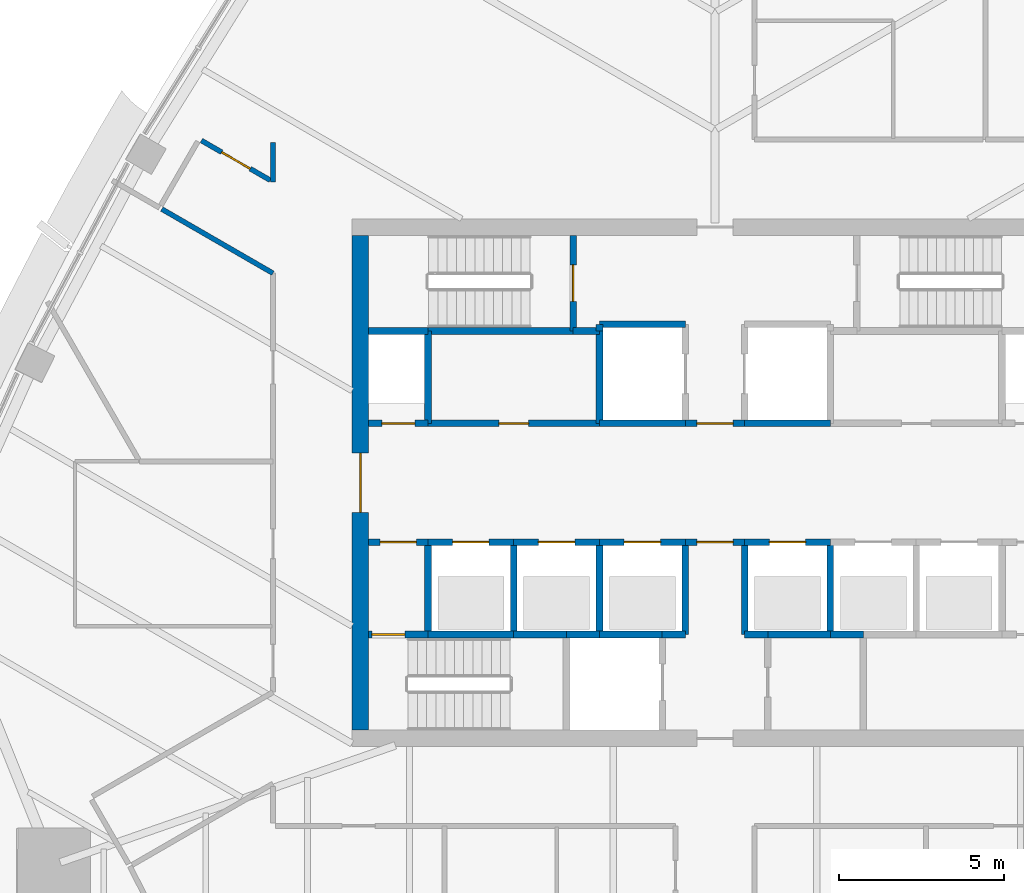
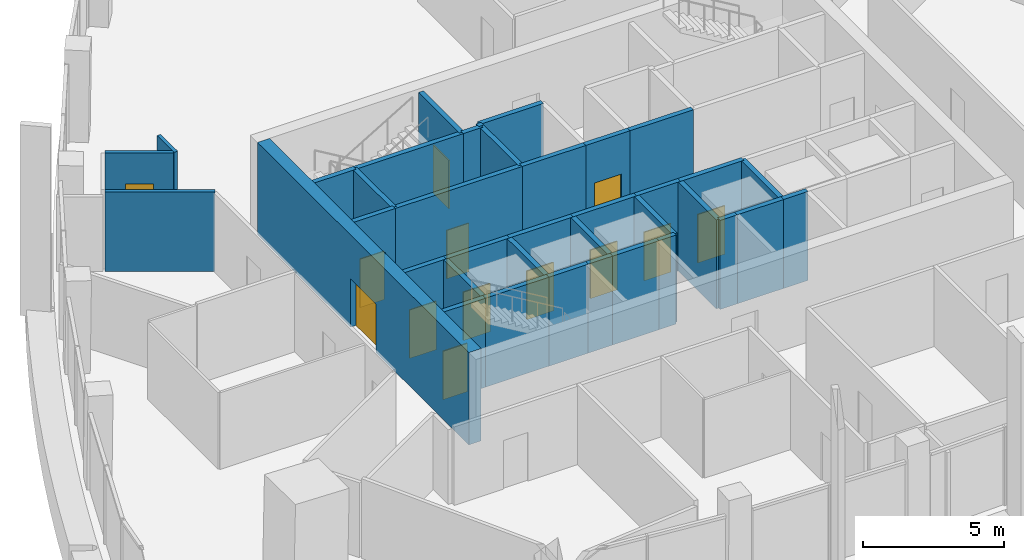
# One storey, part 9 of 19: 38 walls, 13 doors, 13 openings.
"""IFC4 building model written with IfcOpenShell, lengths in metres."""

import ifcopenshell
import ifcopenshell.guid

model = None  # the IFC model being written
_history = None  # IfcOwnerHistory: only IFC2X3 demands one
_inside = {}  # id of a spatial element -> (the spatial element, [elements in it])
_under = {}  # id of a project, library or spatial element -> (it, [spatial elements below it])
_declared = {}  # id of a project -> (the project, [libraries it declares])
_typed = {}  # id of a type object -> (the type object, [elements of that type])
_made_of = {}  # id of a material, layer set ... -> (it, [elements and type objects made of it])


def new_model(schema):
    """Start an empty IFC model of exactly this schema.

    Asked for "IFC4X3", IfcOpenShell would pick the latest addendum, in which some entities
    have other attributes; the version numbers below select the first issue.
    IFC2X3 requires an IfcOwnerHistory on every rooted entity: one is made here for all.
    """
    global model, _history
    if schema == "IFC4X3":
        model = ifcopenshell.file(schema_version=(4, 3, 0, 0))
    else:
        model = ifcopenshell.file(schema=schema)
    _inside.clear()
    _under.clear()
    _declared.clear()
    _typed.clear()
    _made_of.clear()
    _history = None
    if model.schema == "IFC2X3":
        org = make("IfcOrganization", Name="unknown")
        user = make(
            "IfcPersonAndOrganization",
            ThePerson=make("IfcPerson", FamilyName="unknown"),
            TheOrganization=org,
        )
        app = make(
            "IfcApplication",
            ApplicationDeveloper=org,
            Version="unknown",
            ApplicationFullName="unknown",
            ApplicationIdentifier="unknown",
        )
        _history = make(
            "IfcOwnerHistory",
            OwningUser=user,
            OwningApplication=app,
            ChangeAction="ADDED",
            CreationDate=0,
        )
    return model


def make(cls, **values):
    """One entity of the class cls with the attributes given. An attribute that is None is left unset."""
    return model.create_entity(
        cls, **{name: value for name, value in values.items() if value is not None}
    )


def rooted(cls, **values):
    """An entity with a GlobalId (a new one), such as an element, a storey or a relation."""
    return make(cls, GlobalId=ifcopenshell.guid.new(), OwnerHistory=_history, **values)


def si_unit(unit_type, name, prefix=None):
    """IfcSIUnit, for example si_unit("LENGTHUNIT", "METRE", prefix="MILLI")."""
    return make("IfcSIUnit", UnitType=unit_type, Prefix=prefix, Name=name)


def assignment(units):
    """IfcUnitAssignment: the units of a project."""
    return None if units is None else make("IfcUnitAssignment", Units=units)


def point(xyz):
    """IfcCartesianPoint."""
    return None if xyz is None else make("IfcCartesianPoint", Coordinates=xyz)


def direction(xyz):
    """IfcDirection."""
    return None if xyz is None else make("IfcDirection", DirectionRatios=xyz)


def frame(location, z_axis=None, x_axis=None):
    """IfcAxis2Placement3D, a coordinate frame: its origin and axes. An axis left out is left unset."""
    return make(
        "IfcAxis2Placement3D",
        Location=point(location),
        Axis=direction(z_axis),
        RefDirection=direction(x_axis),
    )


def frame_2d(location, x_axis=None):
    """IfcAxis2Placement2D, a coordinate frame in the plane: its origin and x axis."""
    return make(
        "IfcAxis2Placement2D", Location=point(location), RefDirection=direction(x_axis)
    )


def origin():
    """The frame at (0, 0, 0) with its axes left unset."""
    return frame((0.0, 0.0, 0.0))


def place(relative_to, where):
    """IfcLocalPlacement: puts the frame where relative to a parent placement (None: the world)."""
    return make(
        "IfcLocalPlacement", PlacementRelTo=relative_to, RelativePlacement=where
    )


def context(
    kind, dimensions, precision=None, world=None, true_north=None, identifier=None
):
    """IfcGeometricRepresentationContext, for example the 3D "Model" context."""
    return make(
        "IfcGeometricRepresentationContext",
        ContextIdentifier=identifier,
        ContextType=kind,
        CoordinateSpaceDimension=dimensions,
        Precision=precision,
        WorldCoordinateSystem=world,
        TrueNorth=true_north,
    )


def subcontext(parent, identifier, kind, view, scale=None):
    """IfcGeometricRepresentationSubContext, for example "Body" below "Model"."""
    return make(
        "IfcGeometricRepresentationSubContext",
        ContextIdentifier=identifier,
        ContextType=kind,
        ParentContext=parent,
        TargetScale=scale,
        TargetView=view,
    )


def project(units=None, contexts=None):
    """IfcProject with its units and contexts."""
    return rooted(
        "IfcProject",
        Name="project",
        RepresentationContexts=contexts,
        UnitsInContext=assignment(units),
    )


def spatial(cls, under=None, at=None, **own):
    """A site, building, storey or space (cls), placed at a placement, below another one or the project."""
    s = rooted(cls, ObjectPlacement=at, **own)
    if under is not None:
        _under.setdefault(under.id(), (under, []))[1].append(s)
    return s


def profile(cls, at=None, kind="AREA", **sizes):
    """A parametric profile (cls). Its sizes go by their IFC names, for example OverallWidth=200.0."""
    return make(cls, ProfileType=kind, Position=at, **sizes)


def rectangle(**sizes):
    """IfcRectangleProfileDef."""
    return profile("IfcRectangleProfileDef", **sizes)


def extrude(swept, where, along, depth):
    """IfcExtrudedAreaSolid: the profile swept, set in the frame where, extruded along a direction by depth."""
    return make(
        "IfcExtrudedAreaSolid",
        SweptArea=swept,
        Position=where,
        ExtrudedDirection=direction(along),
        Depth=depth,
    )


def shape(context_of_items, identifier, shape_type, items):
    """IfcShapeRepresentation: the items that make up one representation, for example the "Body"."""
    return make(
        "IfcShapeRepresentation",
        ContextOfItems=context_of_items,
        RepresentationIdentifier=identifier,
        RepresentationType=shape_type,
        Items=items,
    )


def material(Name=None, Category=None):
    """IfcMaterial."""
    return make("IfcMaterial", Name=Name, Category=Category)


def layer(
    of_material, thickness, ventilated=None, Name=None, Category=None, Priority=None
):
    """IfcMaterialLayer: one layer of a wall or slab, of a material (None: an air gap)."""
    return make(
        "IfcMaterialLayer",
        Material=of_material,
        LayerThickness=thickness,
        IsVentilated=ventilated,
        Name=Name,
        Category=Category,
        Priority=Priority,
    )


def layer_set(layers, Name=None):
    """IfcMaterialLayerSet."""
    return make("IfcMaterialLayerSet", MaterialLayers=layers, LayerSetName=Name)


def made_of(thing, what):
    """Note that an element or type object is made of a material, layer set ...; save() writes the relation."""
    if what is not None:
        _made_of.setdefault(what.id(), (what, []))[1].append(thing)
    return thing


def type_object(cls, material=None, **own):
    """A type object (cls), such as IfcWallType, which elements share."""
    return made_of(rooted(cls, **own), material)


def element(
    cls,
    number,
    at=None,
    inside=None,
    cuts=None,
    type_object=None,
    material=None,
    context=None,
    identifier="Body",
    shape_type=None,
    held_by="IfcProductDefinitionShape",
    body=None,
    shapes=None,
    **own,
):
    """One element of the class cls, such as IfcWall. Its Tag is "e" and its number.

    at: its placement. inside: the storey or other place that contains it. cuts: it is an
    opening in that element (IfcRelVoidsElement). A single representation is given by context,
    identifier, shape_type and body (its items); several are given by shapes. held_by: the class
    of the entity that holds the representations. save() writes the other relations.
    """
    e = rooted(cls, Tag="e%d" % number, ObjectPlacement=at, **own)
    if body is not None:
        shapes = [shape(context, identifier, shape_type, body)]
    if shapes is not None:
        e.Representation = make(held_by, Representations=shapes)
    if inside is not None:
        _inside.setdefault(inside.id(), (inside, []))[1].append(e)
    if cuts is not None:
        rooted(
            "IfcRelVoidsElement", RelatingBuildingElement=cuts, RelatedOpeningElement=e
        )
    if type_object is not None:
        _typed.setdefault(type_object.id(), (type_object, []))[1].append(e)
    return made_of(e, material)


def fill(opening, filler):
    """IfcRelFillsElement: the door or window that sits in an opening."""
    return rooted(
        "IfcRelFillsElement",
        RelatingOpeningElement=opening,
        RelatedBuildingElement=filler,
    )


def aggregate(whole, parts):
    """IfcRelAggregates: a whole, such as a stair, and the parts it consists of."""
    return rooted("IfcRelAggregates", RelatingObject=whole, RelatedObjects=parts)


def save(model, path):
    """Write the relations noted so far, then the file.

    IfcRelAggregates (storeys below a building ...), IfcRelContainedInSpatialStructure (elements
    in a storey), IfcRelDefinesByType, IfcRelAssociatesMaterial and IfcRelDeclares: one each for
    every whole, place, type object, material and project.
    """
    for whole, parts in _under.values():
        aggregate(whole, parts)
    for where, things in _inside.values():
        rooted(
            "IfcRelContainedInSpatialStructure",
            RelatedElements=things,
            RelatingStructure=where,
        )
    for kind, things in _typed.values():
        rooted("IfcRelDefinesByType", RelatedObjects=things, RelatingType=kind)
    for what, things in _made_of.values():
        rooted("IfcRelAssociatesMaterial", RelatedObjects=things, RelatingMaterial=what)
    for by, libraries in _declared.values():
        rooted("IfcRelDeclares", RelatingContext=by, RelatedDefinitions=libraries)
    model.write(path)


model = new_model("IFC4")

# Units and contexts
model_context = context("Model", 3, precision=1e-05, world=origin(), true_north=direction((0.0, 1.0)))
body_context = subcontext(model_context, "Body", "Model", "MODEL_VIEW")
ifc_project = project(units=[si_unit("LENGTHUNIT", "METRE"), si_unit("AREAUNIT", "SQUARE_METRE"), si_unit("VOLUMEUNIT", "CUBIC_METRE"), si_unit("PLANEANGLEUNIT", "RADIAN"), si_unit("MASSUNIT", "GRAM", prefix="KILO")], contexts=[model_context])

# Site, building, storey
site_placement = place(None, origin())
site = spatial("IfcSite", under=ifc_project, at=site_placement, CompositionType="ELEMENT")
building_placement = place(site_placement, origin())
building = spatial("IfcBuilding", under=site, at=building_placement, Name="Sierra Prisma Convention Tower", CompositionType="ELEMENT")
storey_placement = place(building_placement, frame((0.0, 0.0, 311.0)))
storey = spatial("IfcBuildingStorey", under=building, at=storey_placement, Name="L71", CompositionType="ELEMENT", Elevation=311.0)

# Wall, opening, door
ifc_material_1 = material(Name="Concrete C30/37", Category="concrete")
ifc_layer_1 = layer(ifc_material_1, 0.199951171875)
ifc_layer_set_1 = layer_set([ifc_layer_1], Name="Core wall RC 200 C30/37")
wall_type_1 = type_object("IfcWallType", Name="Core wall RC 200 C30/37", PredefinedType="SOLIDWALL", material=ifc_layer_set_1)
wall_1_placement = place(storey_placement, frame((-10.5, -4.60009765625, 0.0), z_axis=(0.0, 0.0, 1.0), x_axis=(1.0, 0.0, 0.0)))
wall_1 = element("IfcWall", 1, at=wall_1_placement, inside=storey, type_object=wall_type_1, Name="Core wall L71 1", PredefinedType="SOLIDWALL", context=body_context, shape_type="SweptSolid", body=[
    extrude(rectangle(XDim=1.800048828125, YDim=0.199951171875, at=frame_2d((0.89990234375, 0.0))), origin(), (0.0, 0.0, 1.0), 3.85009765625),
])
opening_1_placement = place(wall_1_placement, frame((0.10009765625, 0.0, 0.0)))
opening_1 = element("IfcOpeningElement", 2, at=opening_1_placement, cuts=wall_1, Name="Opening L71-D015", PredefinedType="OPENING", context=body_context, shape_type="SweptSolid", body=[
    extrude(rectangle(XDim=1.0, YDim=2.10009765625, at=frame_2d((0.5, 1.050048828125))), frame((0.0, 0.10009765625, 0.0), z_axis=(0.0, -1.0, 0.0), x_axis=(1.0, 0.0, 0.0)), (0.0, 0.0, 1.0), 0.199951171875),
])
ifc_material_2 = material(Name="Steel fire door leaf", Category="steel")
door_type_1 = type_object("IfcDoorType", Name="Door 1000x2100 FD90S", OperationType="SINGLE_SWING_LEFT", PredefinedType="DOOR", material=ifc_material_2)
door_1_placement = place(opening_1_placement, origin())
door_1 = element("IfcDoor", 3, at=door_1_placement, inside=storey, type_object=door_type_1, Name="Door L71 31", OperationType="SINGLE_SWING_LEFT", OverallHeight=2.10009765625, OverallWidth=1.0, PredefinedType="DOOR", context=body_context, shape_type="SweptSolid", body=[
    extrude(rectangle(XDim=1.0, YDim=2.10009765625, at=frame_2d((0.5, 1.050048828125))), frame((0.0, 0.02490234375, 0.0), z_axis=(0.0, -1.0, 0.0), x_axis=(1.0, 0.0, 0.0)), (0.0, 0.0, 1.0), 0.050048828125),
])
fill(opening_1, door_1)

wall_2_placement = place(storey_placement, frame((-10.5, -1.800048828125, 0.0), z_axis=(0.0, 0.0, 1.0), x_axis=(1.0, 0.0, 0.0)))
wall_2 = element("IfcWall", 4, at=wall_2_placement, inside=storey, type_object=wall_type_1, Name="Core wall L71 2", PredefinedType="SOLIDWALL", context=body_context, shape_type="SweptSolid", body=[
    extrude(rectangle(XDim=1.800048828125, YDim=0.199951171875, at=frame_2d((0.89990234375, 0.0))), origin(), (0.0, 0.0, 1.0), 3.85009765625),
])
opening_2_placement = place(wall_2_placement, frame((0.35009765625, 0.0, 0.0)))
opening_2 = element("IfcOpeningElement", 5, at=opening_2_placement, cuts=wall_2, Name="Opening L71-D010", PredefinedType="OPENING", context=body_context, shape_type="SweptSolid", body=[
    extrude(rectangle(XDim=1.10009765625, YDim=2.10009765625, at=frame_2d((0.550048828125, 1.050048828125))), frame((0.0, 0.10009765625, 0.0), z_axis=(0.0, -1.0, 0.0), x_axis=(1.0, 0.0, 0.0)), (0.0, 0.0, 1.0), 0.199951171875),
])
ifc_material_3 = material(Name="Steel fire door leaf", Category="steel")
door_type_2 = type_object("IfcDoorType", Name="Door 1100x2100 FD90S", OperationType="SINGLE_SWING_LEFT", PredefinedType="DOOR", material=ifc_material_3)
door_2_placement = place(opening_2_placement, origin())
door_2 = element("IfcDoor", 6, at=door_2_placement, inside=storey, type_object=door_type_2, Name="Door L71 26", OperationType="SINGLE_SWING_RIGHT", OverallHeight=2.10009765625, OverallWidth=1.10009765625, PredefinedType="DOOR", context=body_context, shape_type="SweptSolid", body=[
    extrude(rectangle(XDim=1.10009765625, YDim=2.10009765625, at=frame_2d((0.550048828125, 1.050048828125))), frame((0.0, 0.02490234375, 0.0), z_axis=(0.0, -1.0, 0.0), x_axis=(1.0, 0.0, 0.0)), (0.0, 0.0, 1.0), 0.050048828125),
])
fill(opening_2, door_2)

wall_3_placement = place(storey_placement, frame((-8.699951171875, 1.800048828125, 0.0), z_axis=(0.0, 0.0, 1.0), x_axis=(-1.0, 0.0, 0.0)))
wall_3 = element("IfcWall", 7, at=wall_3_placement, inside=storey, type_object=wall_type_1, Name="Core wall L71 3", PredefinedType="SOLIDWALL", context=body_context, shape_type="SweptSolid", body=[
    extrude(rectangle(XDim=1.800048828125, YDim=0.199951171875, at=frame_2d((0.89990234375, 0.0))), origin(), (0.0, 0.0, 1.0), 3.85009765625),
])
opening_3_placement = place(wall_3_placement, frame((0.39990234375, 0.0, 0.0)))
opening_3 = element("IfcOpeningElement", 8, at=opening_3_placement, cuts=wall_3, Name="Opening L71-D013", PredefinedType="OPENING", context=body_context, shape_type="SweptSolid", body=[
    extrude(rectangle(XDim=1.0, YDim=2.10009765625, at=frame_2d((0.5, 1.050048828125))), frame((0.0, 0.10009765625, 0.0), z_axis=(0.0, -1.0, 0.0), x_axis=(1.0, 0.0, 0.0)), (0.0, 0.0, 1.0), 0.199951171875),
])
ifc_material_4 = material(Name="Steel fire door leaf", Category="steel")
door_type_3 = type_object("IfcDoorType", Name="Door 1000x2100 FD60S", OperationType="SINGLE_SWING_LEFT", PredefinedType="DOOR", material=ifc_material_4)
door_3_placement = place(opening_3_placement, origin())
door_3 = element("IfcDoor", 9, at=door_3_placement, inside=storey, type_object=door_type_3, Name="Door L71 29", OperationType="SINGLE_SWING_LEFT", OverallHeight=2.10009765625, OverallWidth=1.0, PredefinedType="DOOR", context=body_context, shape_type="SweptSolid", body=[
    extrude(rectangle(XDim=1.0, YDim=2.10009765625, at=frame_2d((0.5, 1.050048828125))), frame((0.0, 0.02490234375, 0.0), z_axis=(0.0, -1.0, 0.0), x_axis=(1.0, 0.0, 0.0)), (0.0, 0.0, 1.0), 0.050048828125),
])
fill(opening_3, door_3)

# Walls
wall_4_placement = place(storey_placement, frame((-8.699951171875, 4.60009765625, 0.0), z_axis=(0.0, 0.0, 1.0), x_axis=(-1.0, 0.0, 0.0)))
element("IfcWall", 10, at=wall_4_placement, inside=storey, type_object=wall_type_1, Name="Core wall L71 4", PredefinedType="SOLIDWALL", context=body_context, shape_type="SweptSolid", body=[
    extrude(rectangle(XDim=1.800048828125, YDim=0.199951171875, at=frame_2d((0.89990234375, 0.0))), origin(), (0.0, 0.0, 1.0), 3.85009765625),
])
wall_5_placement = place(storey_placement, frame((-8.699951171875, -4.60009765625, 0.0), z_axis=(0.0, 0.0, 1.0), x_axis=(1.0, 0.0, 0.0)))
element("IfcWall", 11, at=wall_5_placement, inside=storey, type_object=wall_type_1, Name="Core wall L71 5", PredefinedType="SOLIDWALL", context=body_context, shape_type="SweptSolid", body=[
    extrude(rectangle(XDim=2.599853515625, YDim=0.199951171875, at=frame_2d((1.2998046875, 0.0))), origin(), (0.0, 0.0, 1.0), 3.85009765625),
])
wall_6_placement = place(storey_placement, frame((-8.699951171875, -4.60009765625, 0.0), z_axis=(0.0, 0.0, 1.0), x_axis=(0.0, 1.0, 0.0)))
element("IfcWall", 12, at=wall_6_placement, inside=storey, type_object=wall_type_1, Name="Core wall L71 6", PredefinedType="SOLIDWALL", context=body_context, shape_type="SweptSolid", body=[
    extrude(rectangle(XDim=2.800048828125, YDim=0.199951171875, at=frame_2d((1.39990234375, 0.0))), origin(), (0.0, 0.0, 1.0), 3.85009765625),
])

# Wall, opening, door
wall_7_placement = place(storey_placement, frame((-8.699951171875, -1.800048828125, 0.0), z_axis=(0.0, 0.0, 1.0), x_axis=(1.0, 0.0, 0.0)))
wall_7 = element("IfcWall", 13, at=wall_7_placement, inside=storey, type_object=wall_type_1, Name="Core wall L71 7", PredefinedType="SOLIDWALL", context=body_context, shape_type="SweptSolid", body=[
    extrude(rectangle(XDim=2.599853515625, YDim=0.199951171875, at=frame_2d((1.2998046875, 0.0))), origin(), (0.0, 0.0, 1.0), 3.85009765625),
])
opening_4_placement = place(wall_7_placement, frame((0.75, 0.0, 0.0)))
opening_4 = element("IfcOpeningElement", 14, at=opening_4_placement, cuts=wall_7, Name="Opening L71-D001", PredefinedType="OPENING", context=body_context, shape_type="SweptSolid", body=[
    extrude(rectangle(XDim=1.10009765625, YDim=2.10009765625, at=frame_2d((0.550048828125, 1.050048828125))), frame((0.0, 0.10009765625, 0.0), z_axis=(0.0, -1.0, 0.0), x_axis=(1.0, 0.0, 0.0)), (0.0, 0.0, 1.0), 0.199951171875),
])
ifc_material_5 = material(Name="Steel fire door leaf", Category="steel")
door_type_4 = type_object("IfcDoorType", Name="Door 1100x2100 EI 90 sliding lift landing", OperationType="SLIDING_TO_LEFT", PredefinedType="DOOR", material=ifc_material_5)
door_4_placement = place(opening_4_placement, origin())
door_4 = element("IfcDoor", 15, at=door_4_placement, inside=storey, type_object=door_type_4, Name="Door L71 17", OperationType="SLIDING_TO_RIGHT", OverallHeight=2.10009765625, OverallWidth=1.10009765625, PredefinedType="DOOR", context=body_context, shape_type="SweptSolid", body=[
    extrude(rectangle(XDim=1.10009765625, YDim=2.10009765625, at=frame_2d((0.550048828125, 1.050048828125))), frame((0.0, 0.02490234375, 0.0), z_axis=(0.0, -1.0, 0.0), x_axis=(1.0, 0.0, 0.0)), (0.0, 0.0, 1.0), 0.050048828125),
])
fill(opening_4, door_4)

wall_8_placement = place(storey_placement, frame((-8.699951171875, 1.800048828125, 0.0), z_axis=(0.0, 0.0, 1.0), x_axis=(1.0, 0.0, 0.0)))
wall_8 = element("IfcWall", 16, at=wall_8_placement, inside=storey, type_object=wall_type_1, Name="Core wall L71 8", PredefinedType="SOLIDWALL", context=body_context, shape_type="SweptSolid", body=[
    extrude(rectangle(XDim=5.199951171875, YDim=0.199951171875, at=frame_2d((2.60009765625, 0.0))), origin(), (0.0, 0.0, 1.0), 3.85009765625),
])
opening_5_placement = place(wall_8_placement, frame((2.14990234375, 0.0, 0.0)))
opening_5 = element("IfcOpeningElement", 17, at=opening_5_placement, cuts=wall_8, Name="Opening L71-D019", PredefinedType="OPENING", context=body_context, shape_type="SweptSolid", body=[
    extrude(rectangle(XDim=0.89990234375, YDim=2.10009765625, at=frame_2d((0.449951171875, 1.050048828125))), frame((0.0, 0.10009765625, 0.0), z_axis=(0.0, -1.0, 0.0), x_axis=(1.0, 0.0, 0.0)), (0.0, 0.0, 1.0), 0.199951171875),
])
ifc_material_6 = material(Name="Steel fire door leaf", Category="steel")
door_type_5 = type_object("IfcDoorType", Name="Door 900x2100 FD30S", OperationType="SINGLE_SWING_LEFT", PredefinedType="DOOR", material=ifc_material_6)
door_5_placement = place(opening_5_placement, origin())
door_5 = element("IfcDoor", 18, at=door_5_placement, inside=storey, type_object=door_type_5, Name="Door L71 35", OperationType="SINGLE_SWING_LEFT", OverallHeight=2.10009765625, OverallWidth=0.89990234375, PredefinedType="DOOR", context=body_context, shape_type="SweptSolid", body=[
    extrude(rectangle(XDim=0.89990234375, YDim=2.10009765625, at=frame_2d((0.449951171875, 1.050048828125))), frame((0.0, 0.02490234375, 0.0), z_axis=(0.0, -1.0, 0.0), x_axis=(1.0, 0.0, 0.0)), (0.0, 0.0, 1.0), 0.050048828125),
])
fill(opening_5, door_5)

# Walls
wall_9_placement = place(storey_placement, frame((-8.699951171875, 4.60009765625, 0.0), z_axis=(0.0, 0.0, 1.0), x_axis=(0.0, -1.0, 0.0)))
element("IfcWall", 19, at=wall_9_placement, inside=storey, type_object=wall_type_1, Name="Core wall L71 9", PredefinedType="SOLIDWALL", context=body_context, shape_type="SweptSolid", body=[
    extrude(rectangle(XDim=2.800048828125, YDim=0.199951171875, at=frame_2d((1.39990234375, 0.0))), origin(), (0.0, 0.0, 1.0), 3.85009765625),
])
wall_10_placement = place(storey_placement, frame((-4.300048828125, 4.60009765625, 0.0), z_axis=(0.0, 0.0, 1.0), x_axis=(-1.0, 0.0, 0.0)))
element("IfcWall", 20, at=wall_10_placement, inside=storey, type_object=wall_type_1, Name="Core wall L71 10", PredefinedType="SOLIDWALL", context=body_context, shape_type="SweptSolid", body=[
    extrude(rectangle(XDim=4.39990234375, YDim=0.199951171875, at=frame_2d((2.199951171875, 0.0))), origin(), (0.0, 0.0, 1.0), 3.85009765625),
])
wall_11_placement = place(storey_placement, frame((-6.10009765625, -4.60009765625, 0.0), z_axis=(0.0, 0.0, 1.0), x_axis=(1.0, 0.0, 0.0)))
element("IfcWall", 21, at=wall_11_placement, inside=storey, type_object=wall_type_1, Name="Core wall L71 11", PredefinedType="SOLIDWALL", context=body_context, shape_type="SweptSolid", body=[
    extrude(rectangle(XDim=1.60009765625, YDim=0.199951171875, at=frame_2d((0.800048828125, 0.0))), origin(), (0.0, 0.0, 1.0), 3.85009765625),
])
wall_12_placement = place(storey_placement, frame((-6.10009765625, -4.60009765625, 0.0), z_axis=(0.0, 0.0, 1.0), x_axis=(0.0, 1.0, 0.0)))
element("IfcWall", 22, at=wall_12_placement, inside=storey, type_object=wall_type_1, Name="Core wall L71 12", PredefinedType="SOLIDWALL", context=body_context, shape_type="SweptSolid", body=[
    extrude(rectangle(XDim=2.800048828125, YDim=0.199951171875, at=frame_2d((1.39990234375, 0.0))), origin(), (0.0, 0.0, 1.0), 3.85009765625),
])

# Wall, opening, door
wall_13_placement = place(storey_placement, frame((-6.10009765625, -1.800048828125, 0.0), z_axis=(0.0, 0.0, 1.0), x_axis=(1.0, 0.0, 0.0)))
wall_13 = element("IfcWall", 23, at=wall_13_placement, inside=storey, type_object=wall_type_1, Name="Core wall L71 13", PredefinedType="SOLIDWALL", context=body_context, shape_type="SweptSolid", body=[
    extrude(rectangle(XDim=2.60009765625, YDim=0.199951171875, at=frame_2d((1.300048828125, 0.0))), origin(), (0.0, 0.0, 1.0), 3.85009765625),
])
opening_6_placement = place(wall_13_placement, frame((0.75, 0.0, 0.0)))
opening_6 = element("IfcOpeningElement", 24, at=opening_6_placement, cuts=wall_13, Name="Opening L71-D002", PredefinedType="OPENING", context=body_context, shape_type="SweptSolid", body=[
    extrude(rectangle(XDim=1.10009765625, YDim=2.10009765625, at=frame_2d((0.550048828125, 1.050048828125))), frame((0.0, 0.10009765625, 0.0), z_axis=(0.0, -1.0, 0.0), x_axis=(1.0, 0.0, 0.0)), (0.0, 0.0, 1.0), 0.199951171875),
])
door_6_placement = place(opening_6_placement, origin())
door_6 = element("IfcDoor", 25, at=door_6_placement, inside=storey, type_object=door_type_4, Name="Door L71 18", OperationType="SLIDING_TO_RIGHT", OverallHeight=2.10009765625, OverallWidth=1.10009765625, PredefinedType="DOOR", context=body_context, shape_type="SweptSolid", body=[
    extrude(rectangle(XDim=1.10009765625, YDim=2.10009765625, at=frame_2d((0.550048828125, 1.050048828125))), frame((0.0, 0.02490234375, 0.0), z_axis=(0.0, -1.0, 0.0), x_axis=(1.0, 0.0, 0.0)), (0.0, 0.0, 1.0), 0.050048828125),
])
fill(opening_6, door_6)

# Walls
wall_14_placement = place(storey_placement, frame((-4.5, -4.60009765625, 0.0), z_axis=(0.0, 0.0, 1.0), x_axis=(1.0, 0.0, 0.0)))
element("IfcWall", 26, at=wall_14_placement, inside=storey, type_object=wall_type_1, Name="Core wall L71 15", PredefinedType="SOLIDWALL", context=body_context, shape_type="SweptSolid", body=[
    extrude(rectangle(XDim=1.0, YDim=0.199951171875, at=frame_2d((0.5, 0.0))), origin(), (0.0, 0.0, 1.0), 3.85009765625),
])
wall_15_placement = place(storey_placement, frame((-3.5, 4.60009765625, 0.0), z_axis=(0.0, 0.0, 1.0), x_axis=(-1.0, 0.0, 0.0)))
element("IfcWall", 27, at=wall_15_placement, inside=storey, type_object=wall_type_1, Name="Core wall L71 16", PredefinedType="SOLIDWALL", context=body_context, shape_type="SweptSolid", body=[
    extrude(rectangle(XDim=0.800048828125, YDim=0.199951171875, at=frame_2d((0.39990234375, 0.0))), origin(), (0.0, 0.0, 1.0), 3.85009765625),
])

# Wall, opening, door
wall_16_placement = place(storey_placement, frame((-4.300048828125, 4.60009765625, 0.0), z_axis=(0.0, 0.0, 1.0), x_axis=(0.0, 1.0, 0.0)))
wall_16 = element("IfcWall", 28, at=wall_16_placement, inside=storey, type_object=wall_type_1, Name="Core wall L71 17", PredefinedType="SOLIDWALL", context=body_context, shape_type="SweptSolid", body=[
    extrude(rectangle(XDim=2.89990234375, YDim=0.199951171875, at=frame_2d((1.449951171875, 0.0))), origin(), (0.0, 0.0, 1.0), 3.85009765625),
])
opening_7_placement = place(wall_16_placement, frame((0.89990234375, 0.0, 0.0)))
opening_7 = element("IfcOpeningElement", 29, at=opening_7_placement, cuts=wall_16, Name="Opening L71-D016", PredefinedType="OPENING", context=body_context, shape_type="SweptSolid", body=[
    extrude(rectangle(XDim=1.10009765625, YDim=2.10009765625, at=frame_2d((0.550048828125, 1.050048828125))), frame((0.0, 0.10009765625, 0.0), z_axis=(0.0, -1.0, 0.0), x_axis=(1.0, 0.0, 0.0)), (0.0, 0.0, 1.0), 0.199951171875),
])
door_7_placement = place(opening_7_placement, origin())
door_7 = element("IfcDoor", 30, at=door_7_placement, inside=storey, type_object=door_type_2, Name="Door L71 32", OperationType="SINGLE_SWING_LEFT", OverallHeight=2.10009765625, OverallWidth=1.10009765625, PredefinedType="DOOR", context=body_context, shape_type="SweptSolid", body=[
    extrude(rectangle(XDim=1.10009765625, YDim=2.10009765625, at=frame_2d((0.550048828125, 1.050048828125))), frame((0.0, 0.02490234375, 0.0), z_axis=(0.0, -1.0, 0.0), x_axis=(1.0, 0.0, 0.0)), (0.0, 0.0, 1.0), 0.050048828125),
])
fill(opening_7, door_7)

# Walls
wall_17_placement = place(storey_placement, frame((-3.5, -4.60009765625, 0.0), z_axis=(0.0, 0.0, 1.0), x_axis=(1.0, 0.0, 0.0)))
element("IfcWall", 31, at=wall_17_placement, inside=storey, type_object=wall_type_1, Name="Core wall L71 18", PredefinedType="SOLIDWALL", context=body_context, shape_type="SweptSolid", body=[
    extrude(rectangle(XDim=1.89990234375, YDim=0.199951171875, at=frame_2d((0.949951171875, 0.0))), origin(), (0.0, 0.0, 1.0), 3.85009765625),
])
wall_18_placement = place(storey_placement, frame((-3.5, -4.60009765625, 0.0), z_axis=(0.0, 0.0, 1.0), x_axis=(0.0, 1.0, 0.0)))
element("IfcWall", 32, at=wall_18_placement, inside=storey, type_object=wall_type_1, Name="Core wall L71 19", PredefinedType="SOLIDWALL", context=body_context, shape_type="SweptSolid", body=[
    extrude(rectangle(XDim=2.800048828125, YDim=0.199951171875, at=frame_2d((1.39990234375, 0.0))), origin(), (0.0, 0.0, 1.0), 3.85009765625),
])

# Wall, opening, door
wall_19_placement = place(storey_placement, frame((-3.5, -1.800048828125, 0.0), z_axis=(0.0, 0.0, 1.0), x_axis=(1.0, 0.0, 0.0)))
wall_19 = element("IfcWall", 33, at=wall_19_placement, inside=storey, type_object=wall_type_1, Name="Core wall L71 20", PredefinedType="SOLIDWALL", context=body_context, shape_type="SweptSolid", body=[
    extrude(rectangle(XDim=2.60009765625, YDim=0.199951171875, at=frame_2d((1.300048828125, 0.0))), origin(), (0.0, 0.0, 1.0), 3.85009765625),
])
opening_8_placement = place(wall_19_placement, frame((0.75, 0.0, 0.0)))
opening_8 = element("IfcOpeningElement", 34, at=opening_8_placement, cuts=wall_19, Name="Opening L71-D003", PredefinedType="OPENING", context=body_context, shape_type="SweptSolid", body=[
    extrude(rectangle(XDim=1.10009765625, YDim=2.10009765625, at=frame_2d((0.550048828125, 1.050048828125))), frame((0.0, 0.10009765625, 0.0), z_axis=(0.0, -1.0, 0.0), x_axis=(1.0, 0.0, 0.0)), (0.0, 0.0, 1.0), 0.199951171875),
])
door_8_placement = place(opening_8_placement, origin())
door_8 = element("IfcDoor", 35, at=door_8_placement, inside=storey, type_object=door_type_4, Name="Door L71 19", OperationType="SLIDING_TO_RIGHT", OverallHeight=2.10009765625, OverallWidth=1.10009765625, PredefinedType="DOOR", context=body_context, shape_type="SweptSolid", body=[
    extrude(rectangle(XDim=1.10009765625, YDim=2.10009765625, at=frame_2d((0.550048828125, 1.050048828125))), frame((0.0, 0.02490234375, 0.0), z_axis=(0.0, -1.0, 0.0), x_axis=(1.0, 0.0, 0.0)), (0.0, 0.0, 1.0), 0.050048828125),
])
fill(opening_8, door_8)

# Walls
wall_20_placement = place(storey_placement, frame((-0.89990234375, 1.800048828125, 0.0), z_axis=(0.0, 0.0, 1.0), x_axis=(-1.0, 0.0, 0.0)))
element("IfcWall", 36, at=wall_20_placement, inside=storey, type_object=wall_type_1, Name="Core wall L71 21", PredefinedType="SOLIDWALL", context=body_context, shape_type="SweptSolid", body=[
    extrude(rectangle(XDim=2.60009765625, YDim=0.199951171875, at=frame_2d((1.300048828125, 0.0))), origin(), (0.0, 0.0, 1.0), 3.85009765625),
])
wall_21_placement = place(storey_placement, frame((-3.5, 1.800048828125, 0.0), z_axis=(0.0, 0.0, 1.0), x_axis=(0.0, 1.0, 0.0)))
element("IfcWall", 37, at=wall_21_placement, inside=storey, type_object=wall_type_1, Name="Core wall L71 22", PredefinedType="SOLIDWALL", context=body_context, shape_type="SweptSolid", body=[
    extrude(rectangle(XDim=2.800048828125, YDim=0.199951171875, at=frame_2d((1.39990234375, 0.0))), origin(), (0.0, 0.0, 1.0), 3.85009765625),
])
wall_22_placement = place(storey_placement, frame((-0.89990234375, 4.800048828125, 0.0), z_axis=(0.0, 0.0, 1.0), x_axis=(-1.0, 0.0, 0.0)))
element("IfcWall", 38, at=wall_22_placement, inside=storey, type_object=wall_type_1, Name="Core wall L71 24", PredefinedType="SOLIDWALL", context=body_context, shape_type="SweptSolid", body=[
    extrude(rectangle(XDim=2.60009765625, YDim=0.199951171875, at=frame_2d((1.300048828125, 0.0))), origin(), (0.0, 0.0, 1.0), 3.85009765625),
])
wall_23_placement = place(storey_placement, frame((-3.5, 4.800048828125, 0.0), z_axis=(0.0, 0.0, 1.0), x_axis=(0.0, -1.0, 0.0)))
element("IfcWall", 39, at=wall_23_placement, inside=storey, type_object=wall_type_1, Name="Core wall L71 25", PredefinedType="SOLIDWALL", context=body_context, shape_type="SweptSolid", body=[
    extrude(rectangle(XDim=0.199951171875, YDim=0.199951171875, at=frame_2d((0.10009765625, 0.0))), origin(), (0.0, 0.0, 1.0), 3.85009765625),
])
wall_24_placement = place(storey_placement, frame((-1.60009765625, -4.60009765625, 0.0), z_axis=(0.0, 0.0, 1.0), x_axis=(1.0, 0.0, 0.0)))
element("IfcWall", 40, at=wall_24_placement, inside=storey, type_object=wall_type_1, Name="Core wall L71 27", PredefinedType="SOLIDWALL", context=body_context, shape_type="SweptSolid", body=[
    extrude(rectangle(XDim=0.7001953125, YDim=0.199951171875, at=frame_2d((0.35009765625, 0.0))), origin(), (0.0, 0.0, 1.0), 3.85009765625),
])
wall_25_placement = place(storey_placement, frame((-0.89990234375, -4.60009765625, 0.0), z_axis=(0.0, 0.0, 1.0), x_axis=(0.0, 1.0, 0.0)))
element("IfcWall", 41, at=wall_25_placement, inside=storey, type_object=wall_type_1, Name="Core wall L71 28", PredefinedType="SOLIDWALL", context=body_context, shape_type="SweptSolid", body=[
    extrude(rectangle(XDim=2.800048828125, YDim=0.199951171875, at=frame_2d((1.39990234375, 0.0))), origin(), (0.0, 0.0, 1.0), 3.85009765625),
])

# Wall, opening, door
wall_26_placement = place(storey_placement, frame((-0.89990234375, -1.800048828125, 0.0), z_axis=(0.0, 0.0, 1.0), x_axis=(1.0, 0.0, 0.0)))
wall_26 = element("IfcWall", 42, at=wall_26_placement, inside=storey, type_object=wall_type_1, Name="Core wall L71 29", PredefinedType="SOLIDWALL", context=body_context, shape_type="SweptSolid", body=[
    extrude(rectangle(XDim=1.7998046875, YDim=0.199951171875, at=frame_2d((0.89990234375, 0.0))), origin(), (0.0, 0.0, 1.0), 3.85009765625),
])
opening_9_placement = place(wall_26_placement, frame((0.35009765625, 0.0, 0.0)))
opening_9 = element("IfcOpeningElement", 43, at=opening_9_placement, cuts=wall_26, Name="Opening L71-D012", PredefinedType="OPENING", context=body_context, shape_type="SweptSolid", body=[
    extrude(rectangle(XDim=1.10009765625, YDim=2.10009765625, at=frame_2d((0.550048828125, 1.050048828125))), frame((0.0, 0.10009765625, 0.0), z_axis=(0.0, -1.0, 0.0), x_axis=(1.0, 0.0, 0.0)), (0.0, 0.0, 1.0), 0.199951171875),
])
ifc_material_7 = material(Name="Steel fire door leaf", Category="steel")
door_type_6 = type_object("IfcDoorType", Name="Door 1100x2100 FD30S", OperationType="SINGLE_SWING_LEFT", PredefinedType="DOOR", material=ifc_material_7)
door_9_placement = place(opening_9_placement, origin())
door_9 = element("IfcDoor", 44, at=door_9_placement, inside=storey, type_object=door_type_6, Name="Door L71 28", OperationType="SINGLE_SWING_RIGHT", OverallHeight=2.10009765625, OverallWidth=1.10009765625, PredefinedType="DOOR", context=body_context, shape_type="SweptSolid", body=[
    extrude(rectangle(XDim=1.10009765625, YDim=2.10009765625, at=frame_2d((0.550048828125, 1.050048828125))), frame((0.0, 0.02490234375, 0.0), z_axis=(0.0, -1.0, 0.0), x_axis=(1.0, 0.0, 0.0)), (0.0, 0.0, 1.0), 0.050048828125),
])
fill(opening_9, door_9)

wall_27_placement = place(storey_placement, frame((0.89990234375, 1.800048828125, 0.0), z_axis=(0.0, 0.0, 1.0), x_axis=(-1.0, 0.0, 0.0)))
wall_27 = element("IfcWall", 45, at=wall_27_placement, inside=storey, type_object=wall_type_1, Name="Core wall L71 30", PredefinedType="SOLIDWALL", context=body_context, shape_type="SweptSolid", body=[
    extrude(rectangle(XDim=1.7998046875, YDim=0.199951171875, at=frame_2d((0.89990234375, 0.0))), origin(), (0.0, 0.0, 1.0), 3.85009765625),
])
opening_10_placement = place(wall_27_placement, frame((0.35009765625, 0.0, 0.0)))
opening_10 = element("IfcOpeningElement", 46, at=opening_10_placement, cuts=wall_27, Name="Opening L71-D011", PredefinedType="OPENING", context=body_context, shape_type="SweptSolid", body=[
    extrude(rectangle(XDim=1.10009765625, YDim=2.10009765625, at=frame_2d((0.550048828125, 1.050048828125))), frame((0.0, 0.10009765625, 0.0), z_axis=(0.0, -1.0, 0.0), x_axis=(1.0, 0.0, 0.0)), (0.0, 0.0, 1.0), 0.199951171875),
])
ifc_material_8 = material(Name="Steel fire door leaf", Category="steel")
door_type_7 = type_object("IfcDoorType", Name="Door 1100x2100 FD60S", OperationType="SINGLE_SWING_LEFT", PredefinedType="DOOR", material=ifc_material_8)
door_10_placement = place(opening_10_placement, origin())
door_10 = element("IfcDoor", 47, at=door_10_placement, inside=storey, type_object=door_type_7, Name="Door L71 27", OperationType="SINGLE_SWING_LEFT", OverallHeight=2.10009765625, OverallWidth=1.10009765625, PredefinedType="DOOR", context=body_context, shape_type="SweptSolid", body=[
    extrude(rectangle(XDim=1.10009765625, YDim=2.10009765625, at=frame_2d((0.550048828125, 1.050048828125))), frame((0.0, 0.02490234375, 0.0), z_axis=(0.0, -1.0, 0.0), x_axis=(1.0, 0.0, 0.0)), (0.0, 0.0, 1.0), 0.050048828125),
])
fill(opening_10, door_10)

wall_28_placement = place(storey_placement, frame((0.89990234375, -1.800048828125, 0.0), z_axis=(0.0, 0.0, 1.0), x_axis=(1.0, 0.0, 0.0)))
wall_28 = element("IfcWall", 48, at=wall_28_placement, inside=storey, type_object=wall_type_1, Name="Core wall L71 31", PredefinedType="SOLIDWALL", context=body_context, shape_type="SweptSolid", body=[
    extrude(rectangle(XDim=2.60009765625, YDim=0.199951171875, at=frame_2d((1.300048828125, 0.0))), origin(), (0.0, 0.0, 1.0), 3.85009765625),
])
opening_11_placement = place(wall_28_placement, frame((0.75, 0.0, 0.0)))
opening_11 = element("IfcOpeningElement", 49, at=opening_11_placement, cuts=wall_28, Name="Opening L71-D004", PredefinedType="OPENING", context=body_context, shape_type="SweptSolid", body=[
    extrude(rectangle(XDim=1.10009765625, YDim=2.10009765625, at=frame_2d((0.550048828125, 1.050048828125))), frame((0.0, 0.10009765625, 0.0), z_axis=(0.0, -1.0, 0.0), x_axis=(1.0, 0.0, 0.0)), (0.0, 0.0, 1.0), 0.199951171875),
])
door_11_placement = place(opening_11_placement, origin())
door_11 = element("IfcDoor", 50, at=door_11_placement, inside=storey, type_object=door_type_4, Name="Door L71 20", OperationType="SLIDING_TO_RIGHT", OverallHeight=2.10009765625, OverallWidth=1.10009765625, PredefinedType="DOOR", context=body_context, shape_type="SweptSolid", body=[
    extrude(rectangle(XDim=1.10009765625, YDim=2.10009765625, at=frame_2d((0.550048828125, 1.050048828125))), frame((0.0, 0.02490234375, 0.0), z_axis=(0.0, -1.0, 0.0), x_axis=(1.0, 0.0, 0.0)), (0.0, 0.0, 1.0), 0.050048828125),
])
fill(opening_11, door_11)

# Walls
wall_29_placement = place(storey_placement, frame((0.89990234375, -1.800048828125, 0.0), z_axis=(0.0, 0.0, 1.0), x_axis=(0.0, -1.0, 0.0)))
element("IfcWall", 51, at=wall_29_placement, inside=storey, type_object=wall_type_1, Name="Core wall L71 32", PredefinedType="SOLIDWALL", context=body_context, shape_type="SweptSolid", body=[
    extrude(rectangle(XDim=2.800048828125, YDim=0.199951171875, at=frame_2d((1.39990234375, 0.0))), origin(), (0.0, 0.0, 1.0), 3.85009765625),
])
wall_30_placement = place(storey_placement, frame((0.89990234375, -4.60009765625, 0.0), z_axis=(0.0, 0.0, 1.0), x_axis=(1.0, 0.0, 0.0)))
element("IfcWall", 52, at=wall_30_placement, inside=storey, type_object=wall_type_1, Name="Core wall L71 33", PredefinedType="SOLIDWALL", context=body_context, shape_type="SweptSolid", body=[
    extrude(rectangle(XDim=0.7001953125, YDim=0.199951171875, at=frame_2d((0.35009765625, 0.0))), origin(), (0.0, 0.0, 1.0), 3.85009765625),
])
wall_31_placement = place(storey_placement, frame((3.5, 1.800048828125, 0.0), z_axis=(0.0, 0.0, 1.0), x_axis=(-1.0, 0.0, 0.0)))
element("IfcWall", 53, at=wall_31_placement, inside=storey, type_object=wall_type_1, Name="Core wall L71 34", PredefinedType="SOLIDWALL", context=body_context, shape_type="SweptSolid", body=[
    extrude(rectangle(XDim=2.60009765625, YDim=0.199951171875, at=frame_2d((1.300048828125, 0.0))), origin(), (0.0, 0.0, 1.0), 3.85009765625),
])
wall_32_placement = place(storey_placement, frame((3.5, -4.60009765625, 0.0), z_axis=(0.0, 0.0, 1.0), x_axis=(-1.0, 0.0, 0.0)))
element("IfcWall", 54, at=wall_32_placement, inside=storey, type_object=wall_type_1, Name="Core wall L71 39", PredefinedType="SOLIDWALL", context=body_context, shape_type="SweptSolid", body=[
    extrude(rectangle(XDim=1.89990234375, YDim=0.199951171875, at=frame_2d((0.949951171875, 0.0))), origin(), (0.0, 0.0, 1.0), 3.85009765625),
])
wall_33_placement = place(storey_placement, frame((4.5, -4.60009765625, 0.0), z_axis=(0.0, 0.0, 1.0), x_axis=(-1.0, 0.0, 0.0)))
element("IfcWall", 55, at=wall_33_placement, inside=storey, type_object=wall_type_1, Name="Core wall L71 40", PredefinedType="SOLIDWALL", context=body_context, shape_type="SweptSolid", body=[
    extrude(rectangle(XDim=1.0, YDim=0.199951171875, at=frame_2d((0.5, 0.0))), origin(), (0.0, 0.0, 1.0), 3.85009765625),
])
wall_34_placement = place(storey_placement, frame((3.5, -4.60009765625, 0.0), z_axis=(0.0, 0.0, 1.0), x_axis=(0.0, 1.0, 0.0)))
element("IfcWall", 56, at=wall_34_placement, inside=storey, type_object=wall_type_1, Name="Core wall L71 41", PredefinedType="SOLIDWALL", context=body_context, shape_type="SweptSolid", body=[
    extrude(rectangle(XDim=2.800048828125, YDim=0.199951171875, at=frame_2d((1.39990234375, 0.0))), origin(), (0.0, 0.0, 1.0), 3.85009765625),
])

# Wall, opening, door
ifc_material_9 = material(Name="Concrete C50/60", Category="concrete")
ifc_layer_2 = layer(ifc_material_9, 0.5)
ifc_layer_set_2 = layer_set([ifc_layer_2], Name="Core wall RC 500 C50/60")
wall_type_2 = type_object("IfcWallType", Name="Core wall RC 500 C50/60", PredefinedType="SHEAR", material=ifc_layer_set_2)
wall_35_placement = place(storey_placement, frame((-10.75, -7.5, 0.0), z_axis=(0.0, 0.0, 1.0), x_axis=(0.0, 1.0, 0.0)))
wall_35 = element("IfcWall", 57, at=wall_35_placement, inside=storey, type_object=wall_type_2, Name="Core wall W L71", PredefinedType="SHEAR", context=body_context, shape_type="SweptSolid", body=[
    extrude(rectangle(XDim=15.0, YDim=0.5, at=frame_2d((7.5, 0.0))), origin(), (0.0, 0.0, 1.0), 4.0),
])
opening_12_placement = place(wall_35_placement, frame((6.60009765625, 0.0, 0.0)))
opening_12 = element("IfcOpeningElement", 58, at=opening_12_placement, cuts=wall_35, Name="Opening L71-D042", PredefinedType="OPENING", context=body_context, shape_type="SweptSolid", body=[
    extrude(rectangle(XDim=1.800048828125, YDim=2.10009765625, at=frame_2d((0.89990234375, 1.050048828125))), frame((0.0, 0.25, 0.0), z_axis=(0.0, -1.0, 0.0), x_axis=(1.0, 0.0, 0.0)), (0.0, 0.0, 1.0), 0.5),
])
ifc_material_10 = material(Name="Steel fire door leaf", Category="steel")
door_type_8 = type_object("IfcDoorType", Name="Door 1800x2100 FD60S", OperationType="DOUBLE_DOOR_SINGLE_SWING", PredefinedType="DOOR", material=ifc_material_10)
door_12_placement = place(opening_12_placement, origin())
door_12 = element("IfcDoor", 59, at=door_12_placement, inside=storey, type_object=door_type_8, Name="Door L71 39", OperationType="DOUBLE_DOOR_SINGLE_SWING", OverallHeight=2.10009765625, OverallWidth=1.800048828125, PredefinedType="DOOR", context=body_context, shape_type="SweptSolid", body=[
    extrude(rectangle(XDim=1.800048828125, YDim=2.10009765625, at=frame_2d((0.89990234375, 1.050048828125))), frame((0.0, 0.02490234375, 0.0), z_axis=(0.0, -1.0, 0.0), x_axis=(1.0, 0.0, 0.0)), (0.0, 0.0, 1.0), 0.050048828125),
])
fill(opening_12, door_12)

# Walls
ifc_material_11 = material(Name="Gypsum board partition", Category="gypsum")
ifc_layer_3 = layer(ifc_material_11, 0.14990234375)
ifc_layer_set_3 = layer_set([ifc_layer_3], Name="Corridor wall 150 gypsum EI 60")
wall_type_3 = type_object("IfcWallType", Name="Corridor wall 150 gypsum EI 60", PredefinedType="PARTITIONING", material=ifc_layer_set_3)
wall_36_placement = place(storey_placement, frame((-16.767578125, 8.295166015625, 0.0), z_axis=(0.0, 0.0, 1.0), x_axis=(0.866024577697, -0.500001430823, 0.0)))
element("IfcWall", 60, at=wall_36_placement, inside=storey, type_object=wall_type_3, Name="Partition L71 corr 2", PredefinedType="PARTITIONING", context=body_context, shape_type="SweptSolid", body=[
    extrude(rectangle(XDim=3.888671875, YDim=0.14990234375, at=frame_2d((1.9443359375, 0.0))), origin(), (0.0, 0.0, 1.0), 3.449951171875),
])
wall_37_placement = place(storey_placement, frame((-13.39990234375, 10.320068359375, 0.0), z_axis=(0.0, 0.0, 1.0), x_axis=(0.0, -1.0, 0.0)))
element("IfcWall", 61, at=wall_37_placement, inside=storey, type_object=wall_type_3, Name="Partition L71 corr 8", PredefinedType="PARTITIONING", context=body_context, shape_type="SweptSolid", body=[
    extrude(rectangle(XDim=1.197998046875, YDim=0.14990234375, at=frame_2d((0.59912109375, 0.0))), origin(), (0.0, 0.0, 1.0), 3.449951171875),
])

# Wall, opening, door
wall_38_placement = place(storey_placement, frame((-13.479248046875, 9.16796875, 0.0), z_axis=(0.0, 0.0, 1.0), x_axis=(-0.866028773314, 0.499994163758, 0.0)))
wall_38 = element("IfcWall", 62, at=wall_38_placement, inside=storey, type_object=wall_type_3, Name="Partition L71 corr 9", PredefinedType="PARTITIONING", context=body_context, shape_type="SweptSolid", body=[
    extrude(rectangle(XDim=2.4111328125, YDim=0.14990234375, at=frame_2d((1.20556640625, 0.0))), origin(), (0.0, 0.0, 1.0), 3.449951171875),
])
opening_13_placement = place(wall_38_placement, frame((0.69970703125, 0.0, 0.0)))
opening_13 = element("IfcOpeningElement", 63, at=opening_13_placement, cuts=wall_38, Name="Opening L71-D027", PredefinedType="OPENING", context=body_context, shape_type="SweptSolid", body=[
    extrude(rectangle(XDim=1.0, YDim=2.10009765625, at=frame_2d((0.5, 1.050048828125))), frame((0.0, 0.074951171875, 0.0), z_axis=(0.0, -1.0, 0.0), x_axis=(1.0, 0.0, 0.0)), (0.0, 0.0, 1.0), 0.14990234375),
])
ifc_material_12 = material(Name="Steel fire door leaf", Category="steel")
door_type_9 = type_object("IfcDoorType", Name="Door 1000x2100 FD30S", OperationType="SINGLE_SWING_LEFT", PredefinedType="DOOR", material=ifc_material_12)
door_13_placement = place(opening_13_placement, origin())
door_13 = element("IfcDoor", 64, at=door_13_placement, inside=storey, type_object=door_type_9, Name="Door L71 5", OperationType="SINGLE_SWING_RIGHT", OverallHeight=2.10009765625, OverallWidth=1.0, PredefinedType="DOOR", context=body_context, shape_type="SweptSolid", body=[
    extrude(rectangle(XDim=1.0, YDim=2.10009765625, at=frame_2d((0.5, 1.050048828125))), frame((0.0, 0.02490234375, 0.0), z_axis=(0.0, -1.0, 0.0), x_axis=(1.0, 0.0, 0.0)), (0.0, 0.0, 1.0), 0.050048828125),
])
fill(opening_13, door_13)

save(model, "model.ifc")
